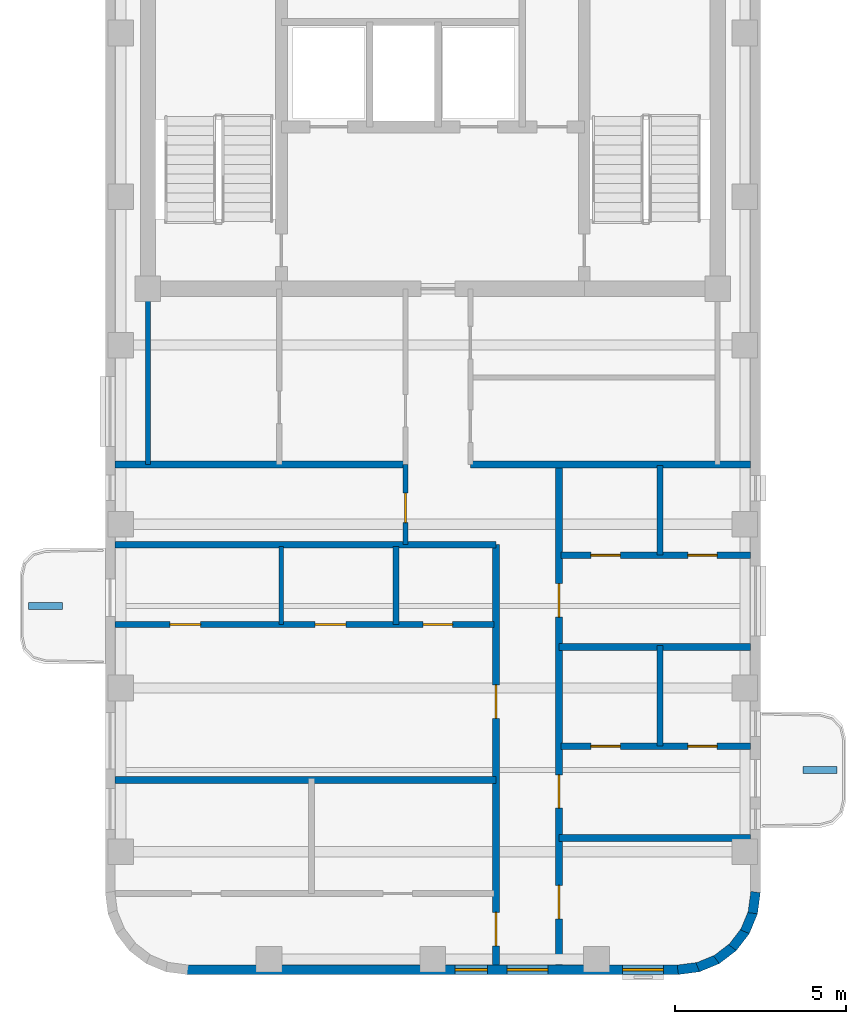
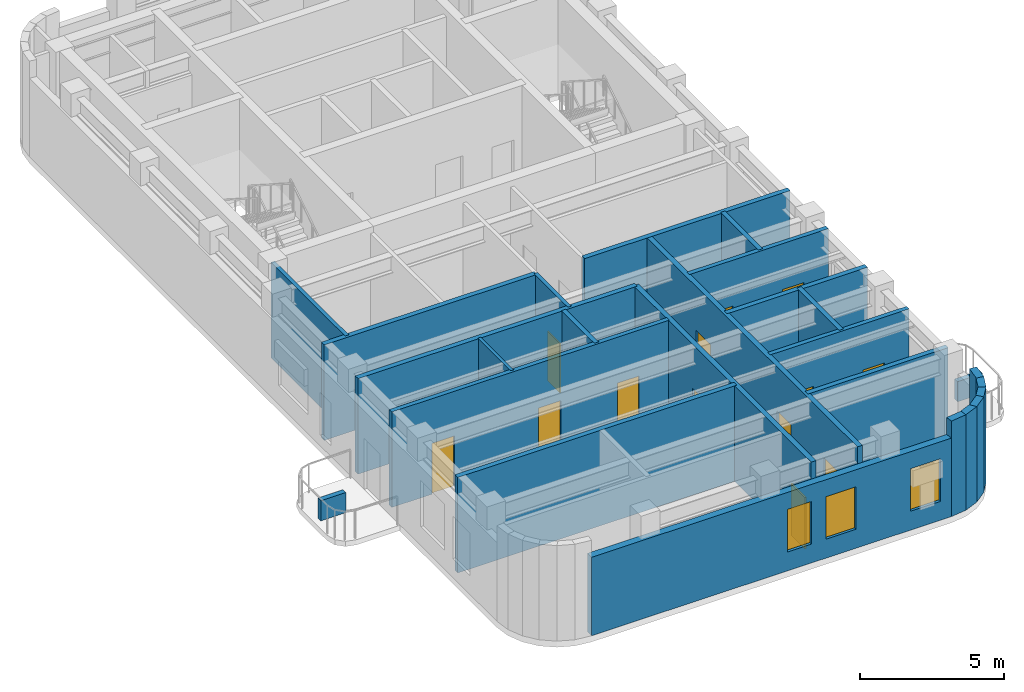
# One storey, part 2 of 6: 26 walls, 13 doors, 3 windows, 16 openings.
"""IFC4 building model written with IfcOpenShell, lengths in metres."""

from ifc_helpers import new_model, si_unit, direction, frame, frame_2d, origin, place, context, subcontext, project, spatial, rectangle, extrude, material, layer, layer_set, type_object, element, fill, save


model = new_model("IFC4")

# Units and contexts
model_context = context("Model", 3, precision=1e-05, world=origin(), true_north=direction((0.0, 1.0)))
body_context = subcontext(model_context, "Body", "Model", "MODEL_VIEW")
ifc_project = project(units=[si_unit("LENGTHUNIT", "METRE"), si_unit("AREAUNIT", "SQUARE_METRE"), si_unit("VOLUMEUNIT", "CUBIC_METRE"), si_unit("PLANEANGLEUNIT", "RADIAN"), si_unit("MASSUNIT", "GRAM", prefix="KILO")], contexts=[model_context])

# Site, building, storey
site_placement = place(None, origin())
site = spatial("IfcSite", under=ifc_project, at=site_placement, CompositionType="ELEMENT")
building_placement = place(site_placement, origin())
building = spatial("IfcBuilding", under=site, at=building_placement, Name="Orvandelia Arch Residences", CompositionType="ELEMENT")
storey_placement = place(building_placement, frame((0.0, 0.0, 265.60009765625)))
storey = spatial("IfcBuildingStorey", under=building, at=storey_placement, Name="L69", CompositionType="ELEMENT", Elevation=265.60009765625)

# Wall, openings, doors
ifc_material_1 = material(Name="Fire-Rated Corridor Partition")
ifc_layer_1 = layer(ifc_material_1, 0.199951171875, Name="Fire-Rated Corridor Partition")
ifc_layer_set_1 = layer_set([ifc_layer_1], Name="Fire-Rated Corridor Partition")
wall_type_1 = type_object("IfcWallType", Name="WL-CORR-200", PredefinedType="PARTITIONING", material=ifc_layer_set_1)
wall_1_placement = place(storey_placement, frame((16.25, 11.080078125, 0.0), z_axis=(0.0, 0.0, 1.0), x_axis=(0.0, 1.0, 0.0)))
wall_1 = element("IfcWall", 1, at=wall_1_placement, inside=storey, type_object=wall_type_1, Name="Interior Partition Wall WL-L69-WC-W", PredefinedType="PARTITIONING", context=body_context, shape_type="SweptSolid", body=[
    extrude(rectangle(XDim=12.31982421875, YDim=0.199951171875, at=frame_2d((6.159912109375, 0.0))), origin(), (0.0, 0.0, 1.0), 4.039794921875),
])
opening_1_placement = place(wall_1_placement, frame((0.56005859375, 0.0, 0.0)))
opening_1 = element("IfcOpeningElement", 2, at=opening_1_placement, cuts=wall_1, Name="Opening D1", PredefinedType="OPENING", context=body_context, shape_type="SweptSolid", body=[
    extrude(rectangle(XDim=0.97998046875, YDim=2.179931640625, at=frame_2d((0.489990234375, 1.08984375))), frame((0.0, 0.10986328125, 0.0), z_axis=(0.0, -1.0, 0.0), x_axis=(1.0, 0.0, 0.0)), (0.0, 0.0, 1.0), 0.219970703125),
])
opening_2_placement = place(wall_1_placement, frame((7.22998046875, 0.0, 0.0)))
opening_2 = element("IfcOpeningElement", 3, at=opening_2_placement, cuts=wall_1, Name="Opening D1", PredefinedType="OPENING", context=body_context, shape_type="SweptSolid", body=[
    extrude(rectangle(XDim=0.97998046875, YDim=2.179931640625, at=frame_2d((0.489990234375, 1.08984375))), frame((0.0, 0.10986328125, 0.0), z_axis=(0.0, -1.0, 0.0), x_axis=(1.0, 0.0, 0.0)), (0.0, 0.0, 1.0), 0.219970703125),
])
ifc_material_2 = material(Name="Solid-Core Timber Acoustic Fire Door", Category="wood")
door_type_1 = type_object("IfcDoorType", Name="DR-ENT-980", OperationType="NOTDEFINED", PredefinedType="DOOR", material=ifc_material_2)
door_1_placement = place(opening_1_placement, origin())
door_1 = element("IfcDoor", 4, at=door_1_placement, inside=storey, type_object=door_type_1, Name="Unit L69-01 Entrance Door", OperationType="SINGLE_SWING_LEFT", OverallHeight=2.179931640625, OverallWidth=0.97998046875, PredefinedType="DOOR", context=body_context, shape_type="SweptSolid", body=[
    extrude(rectangle(XDim=0.97998046875, YDim=2.179931640625, at=frame_2d((0.489990234375, 1.08984375))), frame((0.0, 0.02490234375, 0.0), z_axis=(0.0, -1.0, 0.0), x_axis=(1.0, 0.0, 0.0)), (0.0, 0.0, 1.0), 0.050048828125),
])
fill(opening_1, door_1)
door_2_placement = place(opening_2_placement, origin())
door_2 = element("IfcDoor", 5, at=door_2_placement, inside=storey, type_object=door_type_1, Name="Unit L69-02 Entrance Door", OperationType="SINGLE_SWING_RIGHT", OverallHeight=2.179931640625, OverallWidth=0.97998046875, PredefinedType="DOOR", context=body_context, shape_type="SweptSolid", body=[
    extrude(rectangle(XDim=0.97998046875, YDim=2.179931640625, at=frame_2d((0.489990234375, 1.08984375))), frame((0.0, 0.02490234375, 0.0), z_axis=(0.0, -1.0, 0.0), x_axis=(1.0, 0.0, 0.0)), (0.0, 0.0, 1.0), 0.050048828125),
])
fill(opening_2, door_2)

wall_2_placement = place(storey_placement, frame((18.10009765625, 11.080078125, 0.0), z_axis=(0.0, 0.0, 1.0), x_axis=(0.0, 1.0, 0.0)))
wall_2 = element("IfcWall", 6, at=wall_2_placement, inside=storey, type_object=wall_type_1, Name="Interior Partition Wall WL-L69-WC-E", PredefinedType="PARTITIONING", context=body_context, shape_type="SweptSolid", body=[
    extrude(rectangle(XDim=14.669921875, YDim=0.199951171875, at=frame_2d((7.3349609375, 0.0))), origin(), (0.0, 0.0, 1.0), 4.039794921875),
])
opening_3_placement = place(wall_2_placement, frame((1.35009765625, 0.0, 0.0)))
opening_3 = element("IfcOpeningElement", 7, at=opening_3_placement, cuts=wall_2, Name="Opening D1", PredefinedType="OPENING", context=body_context, shape_type="SweptSolid", body=[
    extrude(rectangle(XDim=0.97998046875, YDim=2.179931640625, at=frame_2d((0.489990234375, 1.08984375))), frame((0.0, 0.10986328125, 0.0), z_axis=(0.0, -1.0, 0.0), x_axis=(1.0, 0.0, 0.0)), (0.0, 0.0, 1.0), 0.219970703125),
])
opening_4_placement = place(wall_2_placement, frame((4.595947265625, 0.0, 0.0)))
opening_4 = element("IfcOpeningElement", 8, at=opening_4_placement, cuts=wall_2, Name="Opening D1", PredefinedType="OPENING", context=body_context, shape_type="SweptSolid", body=[
    extrude(rectangle(XDim=0.97998046875, YDim=2.179931640625, at=frame_2d((0.489990234375, 1.08984375))), frame((0.0, 0.10986328125, 0.0), z_axis=(0.0, -1.0, 0.0), x_axis=(1.0, 0.0, 0.0)), (0.0, 0.0, 1.0), 0.219970703125),
])
opening_5_placement = place(wall_2_placement, frame((10.196044921875, 0.0, 0.0)))
opening_5 = element("IfcOpeningElement", 9, at=opening_5_placement, cuts=wall_2, Name="Opening D1", PredefinedType="OPENING", context=body_context, shape_type="SweptSolid", body=[
    extrude(rectangle(XDim=0.97998046875, YDim=2.179931640625, at=frame_2d((0.489990234375, 1.08984375))), frame((0.0, 0.10986328125, 0.0), z_axis=(0.0, -1.0, 0.0), x_axis=(1.0, 0.0, 0.0)), (0.0, 0.0, 1.0), 0.219970703125),
])
door_3_placement = place(opening_3_placement, origin())
door_3 = element("IfcDoor", 10, at=door_3_placement, inside=storey, type_object=door_type_1, Name="Unit L69-03 Study Door", OperationType="SINGLE_SWING_LEFT", OverallHeight=2.179931640625, OverallWidth=0.97998046875, PredefinedType="DOOR", context=body_context, shape_type="SweptSolid", body=[
    extrude(rectangle(XDim=0.97998046875, YDim=2.179931640625, at=frame_2d((0.489990234375, 1.08984375))), frame((0.0, 0.02490234375, 0.0), z_axis=(0.0, -1.0, 0.0), x_axis=(1.0, 0.0, 0.0)), (0.0, 0.0, 1.0), 0.050048828125),
])
fill(opening_3, door_3)
door_4_placement = place(opening_4_placement, origin())
door_4 = element("IfcDoor", 11, at=door_4_placement, inside=storey, type_object=door_type_1, Name="Unit L69-04 Entrance Door", OperationType="SINGLE_SWING_RIGHT", OverallHeight=2.179931640625, OverallWidth=0.97998046875, PredefinedType="DOOR", context=body_context, shape_type="SweptSolid", body=[
    extrude(rectangle(XDim=0.97998046875, YDim=2.179931640625, at=frame_2d((0.489990234375, 1.08984375))), frame((0.0, 0.02490234375, 0.0), z_axis=(0.0, -1.0, 0.0), x_axis=(1.0, 0.0, 0.0)), (0.0, 0.0, 1.0), 0.050048828125),
])
fill(opening_4, door_4)
door_5_placement = place(opening_5_placement, origin())
door_5 = element("IfcDoor", 12, at=door_5_placement, inside=storey, type_object=door_type_1, Name="Unit L69-05 Entrance Door", OperationType="SINGLE_SWING_LEFT", OverallHeight=2.179931640625, OverallWidth=0.97998046875, PredefinedType="DOOR", context=body_context, shape_type="SweptSolid", body=[
    extrude(rectangle(XDim=0.97998046875, YDim=2.179931640625, at=frame_2d((0.489990234375, 1.08984375))), frame((0.0, 0.02490234375, 0.0), z_axis=(0.0, -1.0, 0.0), x_axis=(1.0, 0.0, 0.0)), (0.0, 0.0, 1.0), 0.050048828125),
])
fill(opening_5, door_5)

# Walls
wall_3_placement = place(storey_placement, frame((5.080078125, 23.39990234375, 0.0), z_axis=(0.0, 0.0, 1.0), x_axis=(1.0, 0.0, 0.0)))
element("IfcWall", 13, at=wall_3_placement, inside=storey, type_object=wall_type_1, Name="Interior Partition Wall WL-L69-WLNK-S", PredefinedType="PARTITIONING", context=body_context, shape_type="SweptSolid", body=[
    extrude(rectangle(XDim=11.169921875, YDim=0.199951171875, at=frame_2d((5.5849609375, 0.0))), origin(), (0.0, 0.0, 1.0), 4.039794921875),
])
wall_4_placement = place(storey_placement, frame((15.5, 25.75, 0.0), z_axis=(0.0, 0.0, 1.0), x_axis=(1.0, 0.0, 0.0)))
element("IfcWall", 14, at=wall_4_placement, inside=storey, type_object=wall_type_1, Name="Interior Partition Wall WL-L69-WLNK-NE", PredefinedType="PARTITIONING", context=body_context, shape_type="SweptSolid", body=[
    extrude(rectangle(XDim=8.219970703125, YDim=0.199951171875, at=frame_2d((4.10986328125, 0.0))), origin(), (0.0, 0.0, 1.0), 4.039794921875),
])
wall_5_placement = place(storey_placement, frame((5.080078125, 25.75, 0.0), z_axis=(0.0, 0.0, 1.0), x_axis=(1.0, 0.0, 0.0)))
element("IfcWall", 15, at=wall_5_placement, inside=storey, type_object=wall_type_1, Name="Interior Partition Wall WL-L69-WLNK-NW2", PredefinedType="PARTITIONING", context=body_context, shape_type="SweptSolid", body=[
    extrude(rectangle(XDim=8.52001953125, YDim=0.199951171875, at=frame_2d((4.260009765625, 0.0))), origin(), (0.0, 0.0, 1.0), 4.039794921875),
])
ifc_material_3 = material(Name="Concrete C40/50", Category="concrete")
ifc_layer_2 = layer(ifc_material_3, 0.199951171875, Name="Concrete C40/50", Category="concrete")
ifc_layer_set_2 = layer_set([ifc_layer_2], Name="Concrete C40/50")
wall_type_2 = type_object("IfcWallType", Name="WL-DEM-200", PredefinedType="SOLIDWALL", material=ifc_layer_set_2)
wall_6_placement = place(storey_placement, frame((5.080078125, 16.5, 0.0), z_axis=(0.0, 0.0, 1.0), x_axis=(1.0, 0.0, 0.0)))
element("IfcWall", 16, at=wall_6_placement, inside=storey, type_object=wall_type_2, Name="Interior Partition Wall WL-L69-DEM-WL-165", PredefinedType="SOLIDWALL", context=body_context, shape_type="SweptSolid", body=[
    extrude(rectangle(XDim=11.169921875, YDim=0.199951171875, at=frame_2d((5.5849609375, 0.0))), origin(), (0.0, 0.0, 1.0), 4.039794921875),
])
for number, where, z_axis, x_axis, name in (
    (17, (18.10009765625, 14.800048828125, 0.0), (0.0, 0.0, 1.0), (1.0, 0.0, 0.0), "Interior Partition Wall WL-L69-DEM-WR-148"),
    (18, (18.10009765625, 20.39990234375, 0.0), (0.0, 0.0, 1.0), (1.0, 0.0, 0.0), "Interior Partition Wall WL-L69-DEM-WR-204"),
):
    element("IfcWall", number, at=place(storey_placement, frame(where, z_axis=z_axis, x_axis=x_axis)), inside=storey, type_object=wall_type_2, Name=name, PredefinedType="SOLIDWALL", context=body_context, shape_type="SweptSolid", body=[
        extrude(rectangle(XDim=5.619873046875, YDim=0.199951171875, at=frame_2d((2.81005859375, 0.0))), origin(), (0.0, 0.0, 1.0), 4.039794921875),
    ])
ifc_material_4 = material(Name="Precast concrete C40/50", Category="concrete")
ifc_layer_3 = layer(ifc_material_4, 0.280029296875, Name="Precast concrete C40/50", Category="concrete")
ifc_layer_set_3 = layer_set([ifc_layer_3], Name="Precast concrete C40/50")
wall_type_3 = type_object("IfcWallType", Name="WL-EXT-STONE-280", PredefinedType="STANDARD", material=ifc_layer_set_3)
wall_7_placement = place(storey_placement, frame((23.861083984375, 13.21826171875, 0.0), z_axis=(0.0, 0.0, 1.0), x_axis=(-0.130555323746, -0.9914410257, 0.0)))
element("IfcWall", 19, at=wall_7_placement, inside=storey, type_object=wall_type_3, Name="Coral-Limestone Precast Facade Wall L69-015", PredefinedType="STANDARD", context=body_context, shape_type="SweptSolid", body=[
    extrude(rectangle(XDim=0.62646484375, YDim=0.280029296875, at=frame_2d((0.313232421875, 0.0))), origin(), (0.0, 0.0, 1.0), 4.039794921875),
])
wall_8_placement = place(storey_placement, frame((23.788818359375, 12.63232421875, 0.0), z_axis=(0.0, 0.0, 1.0), x_axis=(-0.382455093999, -0.923974080304, 0.0)))
element("IfcWall", 20, at=wall_8_placement, inside=storey, type_object=wall_type_3, Name="Coral-Limestone Precast Facade Wall L69-016", PredefinedType="STANDARD", context=body_context, shape_type="SweptSolid", body=[
    extrude(rectangle(XDim=0.626220703125, YDim=0.280029296875, at=frame_2d((0.31298828125, 0.0))), origin(), (0.0, 0.0, 1.0), 4.039794921875),
])
for number, where, z_axis, x_axis, name in (
    (21, (23.5673828125, 12.085205078125, 0.0), (0.0, 0.0, 1.0), (-0.608693302629, -0.793405610854, 0.0), "Coral-Limestone Precast Facade Wall L69-017"),
    (22, (23.2119140625, 11.614013671875, 0.0), (0.0, 0.0, 1.0), (-0.793405610854, -0.608693302629, 0.0), "Coral-Limestone Precast Facade Wall L69-018"),
    (23, (22.746337890625, 11.250732421875, 0.0), (0.0, 0.0, 1.0), (-0.92389335771, -0.382650053678, 0.0), "Coral-Limestone Precast Facade Wall L69-019"),
    (24, (22.202880859375, 11.0205078125, 0.0), (0.0, 0.0, 1.0), (-0.9914410257, -0.130555323746, 0.0), "Coral-Limestone Precast Facade Wall L69-020"),
):
    element("IfcWall", number, at=place(storey_placement, frame(where, z_axis=z_axis, x_axis=x_axis)), inside=storey, type_object=wall_type_3, Name=name, PredefinedType="STANDARD", context=body_context, shape_type="SweptSolid", body=[
        extrude(rectangle(XDim=0.62646484375, YDim=0.280029296875, at=frame_2d((0.313232421875, 0.0))), origin(), (0.0, 0.0, 1.0), 4.039794921875),
    ])

# Wall, openings, windows
wall_9_placement = place(storey_placement, frame((21.60009765625, 10.93994140625, 0.0), z_axis=(0.0, 0.0, 1.0), x_axis=(-1.0, 0.0, 0.0)))
wall_9 = element("IfcWall", 25, at=wall_9_placement, inside=storey, type_object=wall_type_3, Name="Coral-Limestone Precast Facade Wall L69-021", PredefinedType="STANDARD", context=body_context, shape_type="SweptSolid", body=[
    extrude(rectangle(XDim=14.400146484375, YDim=0.280029296875, at=frame_2d((7.2001953125, 0.0))), origin(), (0.0, 0.0, 1.0), 3.31982421875),
])
opening_6_placement = place(wall_9_placement, frame((5.6025390625, 0.0, 0.800048828125)))
opening_6 = element("IfcOpeningElement", 26, at=opening_6_placement, cuts=wall_9, Name="Opening W4", PredefinedType="OPENING", context=body_context, shape_type="SweptSolid", body=[
    extrude(rectangle(XDim=0.949951171875, YDim=1.800048828125, at=frame_2d((0.47509765625, 0.89990234375))), frame((0.0, 0.14990234375, 0.0), z_axis=(0.0, -1.0, 0.0), x_axis=(1.0, 0.0, 0.0)), (0.0, 0.0, 1.0), 0.300048828125),
])
opening_7_placement = place(wall_9_placement, frame((3.824951171875, 0.0, 0.800048828125)))
opening_7 = element("IfcOpeningElement", 27, at=opening_7_placement, cuts=wall_9, Name="Opening W3", PredefinedType="OPENING", context=body_context, shape_type="SweptSolid", body=[
    extrude(rectangle(XDim=1.199951171875, YDim=1.800048828125, at=frame_2d((0.60009765625, 0.89990234375))), frame((0.0, 0.14990234375, 0.0), z_axis=(0.0, -1.0, 0.0), x_axis=(1.0, 0.0, 0.0)), (0.0, 0.0, 1.0), 0.300048828125),
])
opening_8_placement = place(wall_9_placement, frame((0.4326171875, 0.0, 0.800048828125)))
opening_8 = element("IfcOpeningElement", 28, at=opening_8_placement, cuts=wall_9, Name="Opening W3", PredefinedType="OPENING", context=body_context, shape_type="SweptSolid", body=[
    extrude(rectangle(XDim=1.199951171875, YDim=1.800048828125, at=frame_2d((0.60009765625, 0.89990234375))), frame((0.0, 0.14990234375, 0.0), z_axis=(0.0, -1.0, 0.0), x_axis=(1.0, 0.0, 0.0)), (0.0, 0.0, 1.0), 0.300048828125),
])
ifc_material_5 = material(Name="Tempered Low-E Insulated Glazing", Category="glass")
window_type_1 = type_object("IfcWindowType", Name="WIN-RES-0950x1800", PartitioningType="SINGLE_PANEL", PredefinedType="WINDOW", material=ifc_material_5)
window_1_placement = place(opening_6_placement, origin())
window_1 = element("IfcWindow", 29, at=window_1_placement, inside=storey, type_object=window_type_1, Name="Recessed Punched Window L69-007", OverallHeight=1.800048828125, OverallWidth=0.949951171875, PartitioningType="SINGLE_PANEL", PredefinedType="WINDOW", context=body_context, shape_type="SweptSolid", body=[
    extrude(rectangle(XDim=0.949951171875, YDim=1.800048828125, at=frame_2d((0.47509765625, 0.89990234375))), frame((0.0, 0.030029296875, 0.0), z_axis=(0.0, -1.0, 0.0), x_axis=(1.0, 0.0, 0.0)), (0.0, 0.0, 1.0), 0.06005859375),
])
fill(opening_6, window_1)
window_type_2 = type_object("IfcWindowType", Name="WIN-RES-1200x1800", PartitioningType="SINGLE_PANEL", PredefinedType="WINDOW", material=ifc_material_5)
window_2_placement = place(opening_7_placement, origin())
window_2 = element("IfcWindow", 30, at=window_2_placement, inside=storey, type_object=window_type_2, Name="Recessed Punched Window L69-008", OverallHeight=1.800048828125, OverallWidth=1.199951171875, PartitioningType="SINGLE_PANEL", PredefinedType="WINDOW", context=body_context, shape_type="SweptSolid", body=[
    extrude(rectangle(XDim=1.199951171875, YDim=1.800048828125, at=frame_2d((0.60009765625, 0.89990234375))), frame((0.0, 0.030029296875, 0.0), z_axis=(0.0, -1.0, 0.0), x_axis=(1.0, 0.0, 0.0)), (0.0, 0.0, 1.0), 0.06005859375),
])
fill(opening_7, window_2)
window_3_placement = place(opening_8_placement, origin())
window_3 = element("IfcWindow", 31, at=window_3_placement, inside=storey, type_object=window_type_2, Name="Recessed Punched Window L69-009", OverallHeight=1.800048828125, OverallWidth=1.199951171875, PartitioningType="SINGLE_PANEL", PredefinedType="WINDOW", context=body_context, shape_type="SweptSolid", body=[
    extrude(rectangle(XDim=1.199951171875, YDim=1.800048828125, at=frame_2d((0.60009765625, 0.89990234375))), frame((0.0, 0.030029296875, 0.0), z_axis=(0.0, -1.0, 0.0), x_axis=(1.0, 0.0, 0.0)), (0.0, 0.0, 1.0), 0.06005859375),
])
fill(opening_8, window_3)

# Walls
ifc_material_6 = material(Name="Lightweight Gypsum Stud Partition")
ifc_layer_4 = layer(ifc_material_6, 0.1201171875, Name="Lightweight Gypsum Stud Partition")
ifc_layer_set_4 = layer_set([ifc_layer_4], Name="Lightweight Gypsum Stud Partition")
wall_type_4 = type_object("IfcWallType", Name="WL-PART-120", PredefinedType="PARTITIONING", material=ifc_layer_set_4)
wall_10_placement = place(storey_placement, frame((9.95703125, 21.06005859375, 0.0), z_axis=(0.0, 0.0, 1.0), x_axis=(0.0, 1.0, 0.0)))
element("IfcWall", 32, at=wall_10_placement, inside=storey, type_object=wall_type_4, Name="Interior Partition Wall WL-L69-U02-V1", PredefinedType="PARTITIONING", context=body_context, shape_type="SweptSolid", body=[
    extrude(rectangle(XDim=2.280029296875, YDim=0.1201171875, at=frame_2d((1.14013671875, 0.0))), origin(), (0.0, 0.0, 1.0), 4.039794921875),
])
ifc_material_7 = material(Name="Acoustic Gypsum Stud Partition")
ifc_layer_5 = layer(ifc_material_7, 0.14990234375, Name="Acoustic Gypsum Stud Partition")
ifc_layer_set_5 = layer_set([ifc_layer_5], Name="Acoustic Gypsum Stud Partition")
wall_type_5 = type_object("IfcWallType", Name="WL-PART-150", PredefinedType="PARTITIONING", material=ifc_layer_set_5)
wall_11_placement = place(storey_placement, frame((6.050048828125, 25.75, 0.0), z_axis=(0.0, 0.0, 1.0), x_axis=(0.0, 1.0, 0.0)))
element("IfcWall", 33, at=wall_11_placement, inside=storey, type_object=wall_type_5, Name="Interior Partition Wall WL-L69-HI-WW", PredefinedType="PARTITIONING", context=body_context, shape_type="SweptSolid", body=[
    extrude(rectangle(XDim=5.14990234375, YDim=0.14990234375, at=frame_2d((2.574951171875, 0.0))), origin(), (0.0, 0.0, 1.0), 4.039794921875),
])

# Wall, opening, door
wall_12_placement = place(storey_placement, frame((13.60009765625, 23.39990234375, 0.0), z_axis=(0.0, 0.0, 1.0), x_axis=(0.0, 1.0, 0.0)))
wall_12 = element("IfcWall", 34, at=wall_12_placement, inside=storey, type_object=wall_type_5, Name="Interior Partition Wall WL-L69-WLNK-W", PredefinedType="PARTITIONING", context=body_context, shape_type="SweptSolid", body=[
    extrude(rectangle(XDim=2.35009765625, YDim=0.14990234375, at=frame_2d((1.175048828125, 0.0))), origin(), (0.0, 0.0, 1.0), 4.039794921875),
])
opening_9_placement = place(wall_12_placement, frame((0.64990234375, 0.0, 0.0)))
opening_9 = element("IfcOpeningElement", 35, at=opening_9_placement, cuts=wall_12, Name="Opening D4", PredefinedType="OPENING", context=body_context, shape_type="SweptSolid", body=[
    extrude(rectangle(XDim=0.860107421875, YDim=2.10009765625, at=frame_2d((0.43017578125, 1.050048828125))), frame((0.0, 0.0849609375, 0.0), z_axis=(0.0, -1.0, 0.0), x_axis=(1.0, 0.0, 0.0)), (0.0, 0.0, 1.0), 0.169921875),
])
ifc_material_8 = material(Name="Moisture-Sealed Timber Bathroom Door", Category="wood")
door_type_2 = type_object("IfcDoorType", Name="DR-WET-900", OperationType="NOTDEFINED", PredefinedType="DOOR", material=ifc_material_8)
door_6_placement = place(opening_9_placement, origin())
door_6 = element("IfcDoor", 36, at=door_6_placement, inside=storey, type_object=door_type_2, Name="DR-L69-WLNKST", OperationType="SINGLE_SWING_LEFT", OverallHeight=2.10009765625, OverallWidth=0.860107421875, PredefinedType="DOOR", context=body_context, shape_type="SweptSolid", body=[
    extrude(rectangle(XDim=0.860107421875, YDim=2.10009765625, at=frame_2d((0.43017578125, 1.050048828125))), frame((0.0, 0.02490234375, 0.0), z_axis=(0.0, -1.0, 0.0), x_axis=(1.0, 0.0, 0.0)), (0.0, 0.0, 1.0), 0.050048828125),
])
fill(opening_9, door_6)

# Walls
ifc_layer_6 = layer(ifc_material_4, 0.199951171875, Name="Precast concrete C40/50", Category="concrete")
ifc_layer_set_6 = layer_set([ifc_layer_6], Name="Precast concrete C40/50")
wall_type_6 = type_object("IfcWallType", Name="WL-PLANTER-200", PredefinedType="MOVABLE", material=ifc_layer_set_6)
for number, where, z_axis, x_axis, name in (
    (37, (2.550048828125, 21.60009765625, 0.0), (0.0, 0.0, 1.0), (1.0, 0.0, 0.0), "Balcony Precast Tree Planter BAL-L69-W1"),
    (38, (25.25, 16.800048828125, 0.0), (0.0, 0.0, 1.0), (1.0, 0.0, 0.0), "Balcony Precast Tree Planter BAL-L69-W2"),
):
    element("IfcWall", number, at=place(storey_placement, frame(where, z_axis=z_axis, x_axis=x_axis)), inside=storey, type_object=wall_type_6, Name=name, PredefinedType="MOVABLE", context=body_context, shape_type="SweptSolid", body=[
        extrude(rectangle(XDim=1.0, YDim=0.199951171875, at=frame_2d((0.5, 0.0))), origin(), (0.0, 0.0, 1.0), 0.849853515625),
    ])

# Wall, openings, doors
ifc_material_9 = material(Name="Moisture-Resistant Plumbing Wall")
ifc_layer_7 = layer(ifc_material_9, 0.179931640625, Name="Moisture-Resistant Plumbing Wall")
ifc_layer_set_7 = layer_set([ifc_layer_7], Name="Moisture-Resistant Plumbing Wall")
wall_type_7 = type_object("IfcWallType", Name="WL-WET-180", PredefinedType="PLUMBINGWALL", material=ifc_layer_set_7)
wall_13_placement = place(storey_placement, frame((5.080078125, 21.06005859375, 0.0), z_axis=(0.0, 0.0, 1.0), x_axis=(1.0, 0.0, 0.0)))
wall_13 = element("IfcWall", 39, at=wall_13_placement, inside=storey, type_object=wall_type_7, Name="Interior Partition Wall WL-L69-U02-HZ", PredefinedType="PLUMBINGWALL", context=body_context, shape_type="SweptSolid", body=[
    extrude(rectangle(XDim=11.10986328125, YDim=0.179931640625, at=frame_2d((5.554931640625, 0.0))), origin(), (0.0, 0.0, 1.0), 4.039794921875),
])
opening_10_placement = place(wall_13_placement, frame((1.611083984375, 0.0, 0.0)))
opening_10 = element("IfcOpeningElement", 40, at=opening_10_placement, cuts=wall_13, Name="Opening D3", PredefinedType="OPENING", context=body_context, shape_type="SweptSolid", body=[
    extrude(rectangle(XDim=0.89990234375, YDim=2.14990234375, at=frame_2d((0.449951171875, 1.074951171875))), frame((0.0, 0.10009765625, 0.0), z_axis=(0.0, -1.0, 0.0), x_axis=(1.0, 0.0, 0.0)), (0.0, 0.0, 1.0), 0.199951171875),
])
opening_11_placement = place(wall_13_placement, frame((5.874267578125, 0.0, 0.0)))
opening_11 = element("IfcOpeningElement", 41, at=opening_11_placement, cuts=wall_13, Name="Opening D3", PredefinedType="OPENING", context=body_context, shape_type="SweptSolid", body=[
    extrude(rectangle(XDim=0.89990234375, YDim=2.14990234375, at=frame_2d((0.449951171875, 1.074951171875))), frame((0.0, 0.10009765625, 0.0), z_axis=(0.0, -1.0, 0.0), x_axis=(1.0, 0.0, 0.0)), (0.0, 0.0, 1.0), 0.199951171875),
])
opening_12_placement = place(wall_13_placement, frame((9.0380859375, 0.0, 0.0)))
opening_12 = element("IfcOpeningElement", 42, at=opening_12_placement, cuts=wall_13, Name="Opening D4", PredefinedType="OPENING", context=body_context, shape_type="SweptSolid", body=[
    extrude(rectangle(XDim=0.860107421875, YDim=2.10009765625, at=frame_2d((0.43017578125, 1.050048828125))), frame((0.0, 0.10009765625, 0.0), z_axis=(0.0, -1.0, 0.0), x_axis=(1.0, 0.0, 0.0)), (0.0, 0.0, 1.0), 0.199951171875),
])
ifc_material_10 = material(Name="Engineered Timber Flush Door", Category="wood")
door_type_3 = type_object("IfcDoorType", Name="DR-INT-900", OperationType="NOTDEFINED", PredefinedType="DOOR", material=ifc_material_10)
door_7_placement = place(opening_10_placement, origin())
door_7 = element("IfcDoor", 43, at=door_7_placement, inside=storey, type_object=door_type_3, Name="DR-L69-U02-BD1", OperationType="SINGLE_SWING_RIGHT", OverallHeight=2.14990234375, OverallWidth=0.89990234375, PredefinedType="DOOR", context=body_context, shape_type="SweptSolid", body=[
    extrude(rectangle(XDim=0.89990234375, YDim=2.14990234375, at=frame_2d((0.449951171875, 1.074951171875))), frame((0.0, 0.02490234375, 0.0), z_axis=(0.0, -1.0, 0.0), x_axis=(1.0, 0.0, 0.0)), (0.0, 0.0, 1.0), 0.050048828125),
])
fill(opening_10, door_7)
door_8_placement = place(opening_11_placement, origin())
door_8 = element("IfcDoor", 44, at=door_8_placement, inside=storey, type_object=door_type_3, Name="DR-L69-U02-KIT", OperationType="SINGLE_SWING_LEFT", OverallHeight=2.14990234375, OverallWidth=0.89990234375, PredefinedType="DOOR", context=body_context, shape_type="SweptSolid", body=[
    extrude(rectangle(XDim=0.89990234375, YDim=2.14990234375, at=frame_2d((0.449951171875, 1.074951171875))), frame((0.0, 0.02490234375, 0.0), z_axis=(0.0, -1.0, 0.0), x_axis=(1.0, 0.0, 0.0)), (0.0, 0.0, 1.0), 0.050048828125),
])
fill(opening_11, door_8)
door_9_placement = place(opening_12_placement, origin())
door_9 = element("IfcDoor", 45, at=door_9_placement, inside=storey, type_object=door_type_2, Name="DR-L69-U02-BTH", OperationType="SINGLE_SWING_RIGHT", OverallHeight=2.10009765625, OverallWidth=0.860107421875, PredefinedType="DOOR", context=body_context, shape_type="SweptSolid", body=[
    extrude(rectangle(XDim=0.860107421875, YDim=2.10009765625, at=frame_2d((0.43017578125, 1.050048828125))), frame((0.0, 0.02490234375, 0.0), z_axis=(0.0, -1.0, 0.0), x_axis=(1.0, 0.0, 0.0)), (0.0, 0.0, 1.0), 0.050048828125),
])
fill(opening_12, door_9)

# Wall
wall_14_placement = place(storey_placement, frame((13.322998046875, 21.06005859375, 0.0), z_axis=(0.0, 0.0, 1.0), x_axis=(0.0, 1.0, 0.0)))
element("IfcWall", 46, at=wall_14_placement, inside=storey, type_object=wall_type_7, Name="Interior Partition Wall WL-L69-U02-V2", PredefinedType="PLUMBINGWALL", context=body_context, shape_type="SweptSolid", body=[
    extrude(rectangle(XDim=2.280029296875, YDim=0.179931640625, at=frame_2d((1.14013671875, 0.0))), origin(), (0.0, 0.0, 1.0), 4.039794921875),
])

# Wall, openings, doors
wall_15_placement = place(storey_placement, frame((18.159912109375, 17.491943359375, 0.0), z_axis=(0.0, 0.0, 1.0), x_axis=(1.0, 0.0, 0.0)))
wall_15 = element("IfcWall", 47, at=wall_15_placement, inside=storey, type_object=wall_type_7, Name="Interior Partition Wall WL-L69-U04-HZ", PredefinedType="PLUMBINGWALL", context=body_context, shape_type="SweptSolid", body=[
    extrude(rectangle(XDim=5.56005859375, YDim=0.179931640625, at=frame_2d((2.780029296875, 0.0))), origin(), (0.0, 0.0, 1.0), 4.039794921875),
])
opening_13_placement = place(wall_15_placement, frame((0.8759765625, 0.0, 0.0)))
opening_13 = element("IfcOpeningElement", 48, at=opening_13_placement, cuts=wall_15, Name="Opening D4", PredefinedType="OPENING", context=body_context, shape_type="SweptSolid", body=[
    extrude(rectangle(XDim=0.860107421875, YDim=2.10009765625, at=frame_2d((0.43017578125, 1.050048828125))), frame((0.0, 0.10009765625, 0.0), z_axis=(0.0, -1.0, 0.0), x_axis=(1.0, 0.0, 0.0)), (0.0, 0.0, 1.0), 0.199951171875),
])
opening_14_placement = place(wall_15_placement, frame((3.716064453125, 0.0, 0.0)))
opening_14 = element("IfcOpeningElement", 49, at=opening_14_placement, cuts=wall_15, Name="Opening D4", PredefinedType="OPENING", context=body_context, shape_type="SweptSolid", body=[
    extrude(rectangle(XDim=0.860107421875, YDim=2.10009765625, at=frame_2d((0.43017578125, 1.050048828125))), frame((0.0, 0.10009765625, 0.0), z_axis=(0.0, -1.0, 0.0), x_axis=(1.0, 0.0, 0.0)), (0.0, 0.0, 1.0), 0.199951171875),
])
door_10_placement = place(opening_13_placement, origin())
door_10 = element("IfcDoor", 50, at=door_10_placement, inside=storey, type_object=door_type_2, Name="DR-L69-U04-KIT", OperationType="SINGLE_SWING_RIGHT", OverallHeight=2.10009765625, OverallWidth=0.860107421875, PredefinedType="DOOR", context=body_context, shape_type="SweptSolid", body=[
    extrude(rectangle(XDim=0.860107421875, YDim=2.10009765625, at=frame_2d((0.43017578125, 1.050048828125))), frame((0.0, 0.02490234375, 0.0), z_axis=(0.0, -1.0, 0.0), x_axis=(1.0, 0.0, 0.0)), (0.0, 0.0, 1.0), 0.050048828125),
])
fill(opening_13, door_10)
door_11_placement = place(opening_14_placement, origin())
door_11 = element("IfcDoor", 51, at=door_11_placement, inside=storey, type_object=door_type_2, Name="DR-L69-U04-BTH", OperationType="SINGLE_SWING_LEFT", OverallHeight=2.10009765625, OverallWidth=0.860107421875, PredefinedType="DOOR", context=body_context, shape_type="SweptSolid", body=[
    extrude(rectangle(XDim=0.860107421875, YDim=2.10009765625, at=frame_2d((0.43017578125, 1.050048828125))), frame((0.0, 0.02490234375, 0.0), z_axis=(0.0, -1.0, 0.0), x_axis=(1.0, 0.0, 0.0)), (0.0, 0.0, 1.0), 0.050048828125),
])
fill(opening_14, door_11)

# Wall
wall_16_placement = place(storey_placement, frame((21.06201171875, 17.491943359375, 0.0), z_axis=(0.0, 0.0, 1.0), x_axis=(0.0, 1.0, 0.0)))
element("IfcWall", 52, at=wall_16_placement, inside=storey, type_object=wall_type_7, Name="Interior Partition Wall WL-L69-U04-V1", PredefinedType="PLUMBINGWALL", context=body_context, shape_type="SweptSolid", body=[
    extrude(rectangle(XDim=2.947998046875, YDim=0.179931640625, at=frame_2d((1.47412109375, 0.0))), origin(), (0.0, 0.0, 1.0), 4.039794921875),
])

# Wall, openings, doors
wall_17_placement = place(storey_placement, frame((18.159912109375, 23.092041015625, 0.0), z_axis=(0.0, 0.0, 1.0), x_axis=(1.0, 0.0, 0.0)))
wall_17 = element("IfcWall", 53, at=wall_17_placement, inside=storey, type_object=wall_type_7, Name="Interior Partition Wall WL-L69-U05-HZ", PredefinedType="PLUMBINGWALL", context=body_context, shape_type="SweptSolid", body=[
    extrude(rectangle(XDim=5.56005859375, YDim=0.179931640625, at=frame_2d((2.780029296875, 0.0))), origin(), (0.0, 0.0, 1.0), 4.039794921875),
])
opening_15_placement = place(wall_17_placement, frame((0.8759765625, 0.0, 0.0)))
opening_15 = element("IfcOpeningElement", 54, at=opening_15_placement, cuts=wall_17, Name="Opening D4", PredefinedType="OPENING", context=body_context, shape_type="SweptSolid", body=[
    extrude(rectangle(XDim=0.860107421875, YDim=2.10009765625, at=frame_2d((0.43017578125, 1.050048828125))), frame((0.0, 0.10009765625, 0.0), z_axis=(0.0, -1.0, 0.0), x_axis=(1.0, 0.0, 0.0)), (0.0, 0.0, 1.0), 0.199951171875),
])
opening_16_placement = place(wall_17_placement, frame((3.716064453125, 0.0, 0.0)))
opening_16 = element("IfcOpeningElement", 55, at=opening_16_placement, cuts=wall_17, Name="Opening D4", PredefinedType="OPENING", context=body_context, shape_type="SweptSolid", body=[
    extrude(rectangle(XDim=0.860107421875, YDim=2.10009765625, at=frame_2d((0.43017578125, 1.050048828125))), frame((0.0, 0.10009765625, 0.0), z_axis=(0.0, -1.0, 0.0), x_axis=(1.0, 0.0, 0.0)), (0.0, 0.0, 1.0), 0.199951171875),
])
door_12_placement = place(opening_15_placement, origin())
door_12 = element("IfcDoor", 56, at=door_12_placement, inside=storey, type_object=door_type_2, Name="DR-L69-U05-KIT", OperationType="SINGLE_SWING_LEFT", OverallHeight=2.10009765625, OverallWidth=0.860107421875, PredefinedType="DOOR", context=body_context, shape_type="SweptSolid", body=[
    extrude(rectangle(XDim=0.860107421875, YDim=2.10009765625, at=frame_2d((0.43017578125, 1.050048828125))), frame((0.0, 0.02490234375, 0.0), z_axis=(0.0, -1.0, 0.0), x_axis=(1.0, 0.0, 0.0)), (0.0, 0.0, 1.0), 0.050048828125),
])
fill(opening_15, door_12)
door_13_placement = place(opening_16_placement, origin())
door_13 = element("IfcDoor", 57, at=door_13_placement, inside=storey, type_object=door_type_2, Name="DR-L69-U05-BTH", OperationType="SINGLE_SWING_RIGHT", OverallHeight=2.10009765625, OverallWidth=0.860107421875, PredefinedType="DOOR", context=body_context, shape_type="SweptSolid", body=[
    extrude(rectangle(XDim=0.860107421875, YDim=2.10009765625, at=frame_2d((0.43017578125, 1.050048828125))), frame((0.0, 0.02490234375, 0.0), z_axis=(0.0, -1.0, 0.0), x_axis=(1.0, 0.0, 0.0)), (0.0, 0.0, 1.0), 0.050048828125),
])
fill(opening_16, door_13)

# Wall
wall_18_placement = place(storey_placement, frame((21.06201171875, 23.092041015625, 0.0), z_axis=(0.0, 0.0, 1.0), x_axis=(0.0, 1.0, 0.0)))
element("IfcWall", 58, at=wall_18_placement, inside=storey, type_object=wall_type_7, Name="Interior Partition Wall WL-L69-U05-V1", PredefinedType="PLUMBINGWALL", context=body_context, shape_type="SweptSolid", body=[
    extrude(rectangle(XDim=2.6279296875, YDim=0.179931640625, at=frame_2d((1.31396484375, 0.0))), origin(), (0.0, 0.0, 1.0), 4.039794921875),
])

save(model, "model.ifc")
